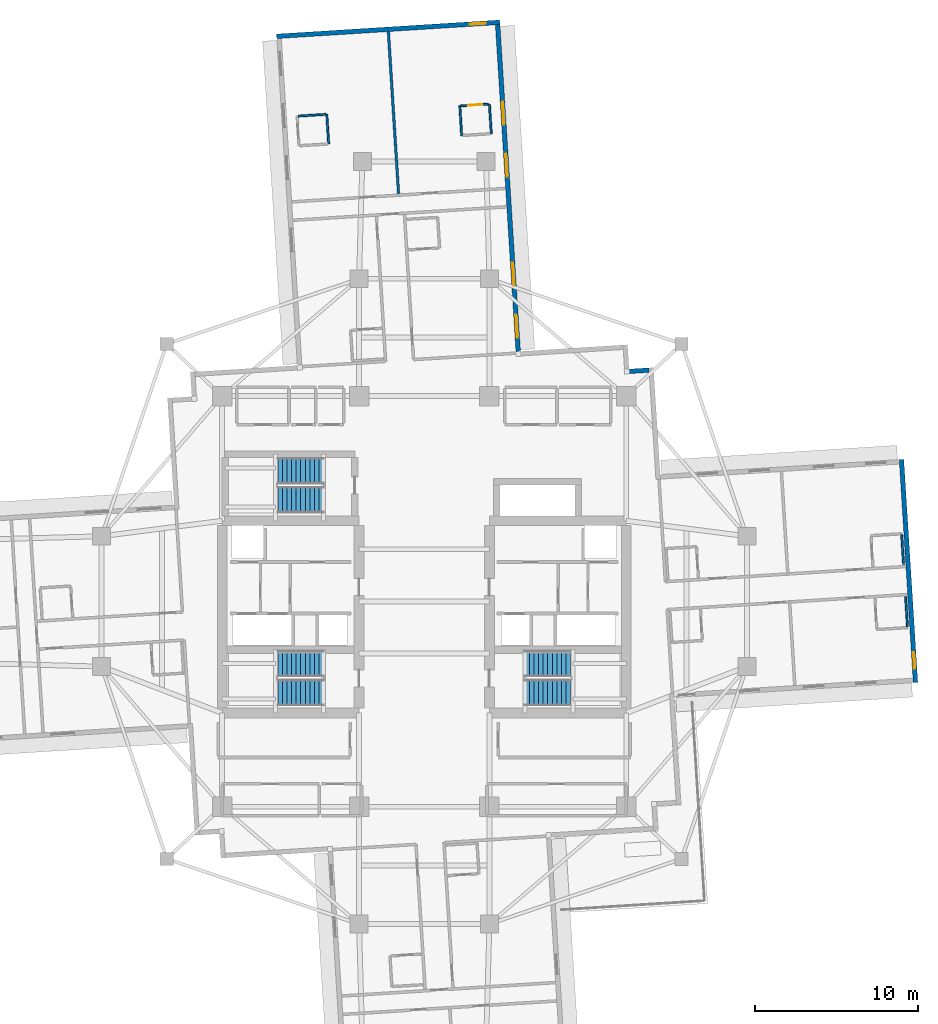
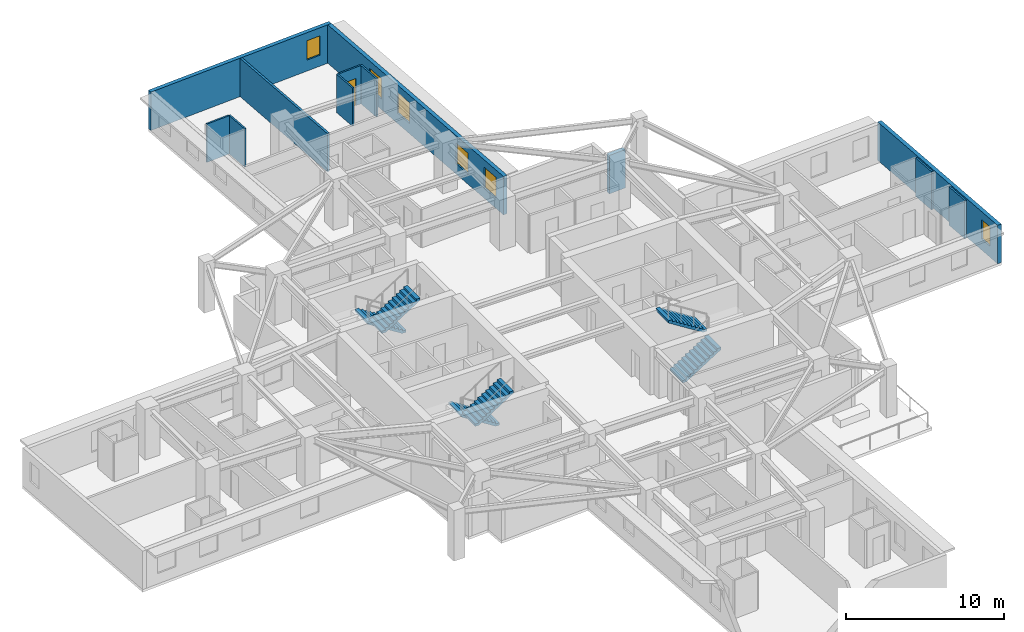
# One storey, part 9 of 14: 12 walls, 6 stair flights, 6 windows, 1 door, 7 openings, 3 elements without a shape of their own.
"""IFC4 building model written with IfcOpenShell, lengths in metres."""

from ifc_helpers import new_model, si_unit, direction, frame, frame_2d, origin, place, context, subcontext, project, spatial, polyline, rectangle, outline, extrude, material, layer, layer_set, type_object, element, fill, aggregate, save


model = new_model("IFC4")

# Units and contexts
model_context = context("Model", 3, precision=1e-05, world=origin(), true_north=direction((0.0, 1.0)))
body_context = subcontext(model_context, "Body", "Model", "MODEL_VIEW")
ifc_project = project(units=[si_unit("LENGTHUNIT", "METRE"), si_unit("AREAUNIT", "SQUARE_METRE"), si_unit("VOLUMEUNIT", "CUBIC_METRE"), si_unit("PLANEANGLEUNIT", "RADIAN"), si_unit("MASSUNIT", "GRAM", prefix="KILO")], contexts=[model_context])

# Site, building, storey
site_placement = place(None, origin())
site = spatial("IfcSite", under=ifc_project, at=site_placement, CompositionType="ELEMENT")
building_placement = place(site_placement, origin())
building = spatial("IfcBuilding", under=site, at=building_placement, Name="Qingluan Cross Belvedere", CompositionType="ELEMENT")
storey_placement = place(building_placement, frame((0.0, 0.0, 120.300048828125)))
storey = spatial("IfcBuildingStorey", under=building, at=storey_placement, Name="L30", CompositionType="ELEMENT", Elevation=120.300048828125)

# Walls
ifc_material_1 = material(Name="Gypsum plasterboard on steel stud acoustic partition", Category="steel")
ifc_layer_1 = layer(ifc_material_1, 0.159912109375, Name="CorridorPartition_160")
ifc_layer_set_1 = layer_set([ifc_layer_1], Name="Gypsum plasterboard on steel stud acoustic partition")
wall_type_1 = type_object("IfcWallType", Name="CorridorPartition_160", PredefinedType="PARTITIONING", material=ifc_layer_set_1)
wall_1_placement = place(storey_placement, frame((-1.57421875, 25.0205078125, 0.0), z_axis=(0.0, 0.0, 1.0), x_axis=(-0.06278717751, 0.998026938685, 0.0)))
element("IfcWall", 1, at=wall_1_placement, inside=storey, type_object=wall_type_1, Name="Partition L30:Ncap:mid", PredefinedType="PARTITIONING", context=body_context, shape_type="SweptSolid", body=[
    extrude(rectangle(XDim=9.962158203125, YDim=0.159912109375, at=frame_2d((4.98095703125, 0.0))), origin(), (0.0, 0.0, 1.0), 2.9599609375),
])
ifc_material_2 = material(Name="Moisture-resistant gypsum board lining")
ifc_layer_2 = layer(ifc_material_2, 0.1201171875, Name="EnsuiteWetPartition_120")
ifc_layer_set_2 = layer_set([ifc_layer_2], Name="Moisture-resistant gypsum board lining")
wall_type_2 = type_object("IfcWallType", Name="EnsuiteWetPartition_120", PredefinedType="PARTITIONING", material=ifc_layer_set_2)
for number, where, z_axis, x_axis, name in (
    (2, (29.415283203125, 2.271484375, 0.0), (0.0, 0.0, 1.0), (-0.062779145668, 0.998027443946, 0.0), "Partition L30:E:bw0_1"),
    (3, (29.6552734375, -1.541015625, 0.0), (0.0, 0.0, 1.0), (-0.062779145668, 0.998027443946, 0.0), "Partition L30:E:bw1_1"),
    (4, (-5.864501953125, 28.0771484375, 0.0), (0.0, 0.0, 1.0), (-0.062779145668, 0.998027443946, 0.0), "Partition L30:Ncap:b1b"),
):
    element("IfcWall", number, at=place(storey_placement, frame(where, z_axis=z_axis, x_axis=x_axis)), inside=storey, type_object=wall_type_2, Name=name, PredefinedType="PARTITIONING", context=body_context, shape_type="SweptSolid", body=[
        extrude(rectangle(XDim=1.820068359375, YDim=0.1201171875, at=frame_2d((0.91015625, 0.0))), origin(), (0.0, 0.0, 1.0), 2.9599609375),
    ])
wall_2_placement = place(storey_placement, frame((-7.7353515625, 29.783203125, 0.0), z_axis=(0.0, 0.0, 1.0), x_axis=(0.998028474305, 0.062762763458, 0.0)))
element("IfcWall", 5, at=wall_2_placement, inside=storey, type_object=wall_type_2, Name="Partition L30:Ncap:b1n", PredefinedType="PARTITIONING", context=body_context, shape_type="SweptSolid", body=[
    extrude(rectangle(XDim=1.699951171875, YDim=0.1201171875, at=frame_2d((0.85009765625, 0.0))), origin(), (0.0, 0.0, 1.0), 2.9599609375),
])
for number, where, z_axis, x_axis, name in (
    (6, (2.29931640625, 28.5908203125, 0.0), (0.0, 0.0, 1.0), (-0.062779145668, 0.998027443946, 0.0), "Partition L30:Ncap:b2s"),
    (7, (4.11572265625, 28.705078125, 0.0), (0.0, 0.0, 1.0), (-0.062779145668, 0.998027443946, 0.0), "Partition L30:Ncap:b2b"),
):
    element("IfcWall", number, at=place(storey_placement, frame(where, z_axis=z_axis, x_axis=x_axis)), inside=storey, type_object=wall_type_2, Name=name, PredefinedType="PARTITIONING", context=body_context, shape_type="SweptSolid", body=[
        extrude(rectangle(XDim=1.820068359375, YDim=0.1201171875, at=frame_2d((0.91015625, 0.0))), origin(), (0.0, 0.0, 1.0), 2.9599609375),
    ])

# Wall, opening, door
wall_3_placement = place(storey_placement, frame((2.244873046875, 30.410888671875, 0.0), z_axis=(0.0, 0.0, 1.0), x_axis=(0.998029039933, 0.06275376841, 0.0)))
wall_3 = element("IfcWall", 8, at=wall_3_placement, inside=storey, type_object=wall_type_2, Name="Partition L30:Ncap:b2n", PredefinedType="PARTITIONING", context=body_context, shape_type="SweptSolid", body=[
    extrude(rectangle(XDim=1.7001953125, YDim=0.1201171875, at=frame_2d((0.85009765625, 0.0))), origin(), (0.0, 0.0, 1.0), 2.9599609375),
])
opening_1_placement = place(wall_3_placement, frame((0.449951171875, 0.0, 0.0)))
opening_1 = element("IfcOpeningElement", 9, at=opening_1_placement, cuts=wall_3, Name="Opening BD-09", PredefinedType="OPENING", context=body_context, shape_type="SweptSolid", body=[
    extrude(rectangle(XDim=0.8798828125, YDim=2.10009765625, at=frame_2d((0.43994140625, 1.050048828125))), frame((0.0, 0.070068359375, 0.0), z_axis=(0.0, -1.0, 0.0), x_axis=(1.0, 0.0, 0.0)), (0.0, 0.0, 1.0), 0.14013671875),
])
ifc_material_3 = material(Name="Moisture-sealed timber en-suite door", Category="wood")
door_type = type_object("IfcDoorType", Name="BathroomDoor_880", OperationType="NOTDEFINED", PredefinedType="DOOR", material=ifc_material_3)
door_placement = place(opening_1_placement, origin())
door = element("IfcDoor", 10, at=door_placement, inside=storey, type_object=door_type, Name="En-suite bathroom door L30N2", OperationType="SINGLE_SWING_RIGHT", OverallHeight=2.10009765625, OverallWidth=0.8798828125, PredefinedType="DOOR", context=body_context, shape_type="SweptSolid", body=[
    extrude(rectangle(XDim=0.8798828125, YDim=2.10009765625, at=frame_2d((0.43994140625, 1.050048828125))), frame((0.0, 0.02490234375, 0.0), z_axis=(0.0, -1.0, 0.0), x_axis=(1.0, 0.0, 0.0)), (0.0, 0.0, 1.0), 0.050048828125),
])
fill(opening_1, door)

# Wall, opening, window
ifc_material_4 = material(Name="Precast concrete C45", Category="concrete")
ifc_layer_3 = layer(ifc_material_4, 0.280029296875, Name="PrecastFacadeWall_280")
ifc_layer_set_3 = layer_set([ifc_layer_3], Name="Precast concrete C45")
wall_type_3 = type_object("IfcWallType", Name="PrecastFacadeWall_280", PredefinedType="STANDARD", material=ifc_layer_set_3)
wall_4_placement = place(storey_placement, frame((30.152099609375, -4.9765625, 0.0), z_axis=(0.0, 0.0, 1.0), x_axis=(-0.062797041623, 0.998026318072, 0.0)))
wall_4 = element("IfcWall", 11, at=wall_4_placement, inside=storey, type_object=wall_type_3, Name="Arm tip precast facade wall L30-E", PredefinedType="STANDARD", context=body_context, shape_type="SweptSolid", body=[
    extrude(rectangle(XDim=13.719970703125, YDim=0.280029296875, at=frame_2d((6.85986328125, 0.0))), origin(), (0.0, 0.0, 1.0), 2.969970703125),
])
opening_2_placement = place(wall_4_placement, frame((0.85009765625, 0.0, 0.85009765625)))
opening_2 = element("IfcOpeningElement", 12, at=opening_2_placement, cuts=wall_4, Name="Opening W-03", PredefinedType="OPENING", context=body_context, shape_type="SweptSolid", body=[
    extrude(rectangle(XDim=1.0, YDim=1.5, at=frame_2d((0.5, 0.75))), frame((0.0, 0.14990234375, 0.0), z_axis=(0.0, -1.0, 0.0), x_axis=(1.0, 0.0, 0.0)), (0.0, 0.0, 1.0), 0.300048828125),
])
ifc_material_5 = material(Name="Thermally broken triple Low-E glass in aluminium frame", Category="aluminium")
window_type_1 = type_object("IfcWindowType", Name="TriApexWin_1000x1500", PartitioningType="SINGLE_PANEL", PredefinedType="WINDOW", material=ifc_material_5)
window_1_placement = place(opening_2_placement, origin())
window_1 = element("IfcWindow", 13, at=window_1_placement, inside=storey, type_object=window_type_1, Name="Arm tip triangular window L30-E", OverallHeight=1.5, OverallWidth=1.0, PartitioningType="SINGLE_PANEL", PredefinedType="WINDOW", context=body_context, shape_type="SweptSolid", body=[
    extrude(rectangle(XDim=1.0, YDim=1.5, at=frame_2d((0.5, 0.75))), frame((0.0, 0.030029296875, 0.0), z_axis=(0.0, -1.0, 0.0), x_axis=(1.0, 0.0, 0.0)), (0.0, 0.0, 1.0), 0.06005859375),
])
fill(opening_2, window_1)

# Wall, openings, windows
wall_5_placement = place(storey_placement, frame((5.7685546875, 15.33251953125, 0.0), z_axis=(0.0, 0.0, 1.0), x_axis=(-0.062784355807, 0.998027116198, 0.0)))
wall_5 = element("IfcWall", 14, at=wall_5_placement, inside=storey, type_object=wall_type_3, Name="Facade wall L30-NA", PredefinedType="STANDARD", context=body_context, shape_type="SweptSolid", body=[
    extrude(rectangle(XDim=20.099853515625, YDim=0.280029296875, at=frame_2d((10.0498046875, 0.0))), origin(), (0.0, 0.0, 1.0), 2.969970703125),
])
opening_3_placement = place(wall_5_placement, frame((0.85009765625, 0.0, 0.800048828125)))
opening_3 = element("IfcOpeningElement", 15, at=opening_3_placement, cuts=wall_5, Name="Opening W-01", PredefinedType="OPENING", context=body_context, shape_type="SweptSolid", body=[
    extrude(rectangle(XDim=1.39990234375, YDim=1.60009765625, at=frame_2d((0.699951171875, 0.800048828125))), frame((0.0, 0.14990234375, 0.0), z_axis=(0.0, -1.0, 0.0), x_axis=(1.0, 0.0, 0.0)), (0.0, 0.0, 1.0), 0.300048828125),
])
opening_4_placement = place(wall_5_placement, frame((4.050048828125, 0.0, 0.800048828125)))
opening_4 = element("IfcOpeningElement", 16, at=opening_4_placement, cuts=wall_5, Name="Opening W-01", PredefinedType="OPENING", context=body_context, shape_type="SweptSolid", body=[
    extrude(rectangle(XDim=1.39990234375, YDim=1.60009765625, at=frame_2d((0.699951171875, 0.800048828125))), frame((0.0, 0.14990234375, 0.0), z_axis=(0.0, -1.0, 0.0), x_axis=(1.0, 0.0, 0.0)), (0.0, 0.0, 1.0), 0.300048828125),
])
opening_5_placement = place(wall_5_placement, frame((10.75, 0.0, 0.800048828125)))
opening_5 = element("IfcOpeningElement", 17, at=opening_5_placement, cuts=wall_5, Name="Opening W-01", PredefinedType="OPENING", context=body_context, shape_type="SweptSolid", body=[
    extrude(rectangle(XDim=1.39990234375, YDim=1.60009765625, at=frame_2d((0.699951171875, 0.800048828125))), frame((0.0, 0.14990234375, 0.0), z_axis=(0.0, -1.0, 0.0), x_axis=(1.0, 0.0, 0.0)), (0.0, 0.0, 1.0), 0.300048828125),
])
opening_6_placement = place(wall_5_placement, frame((13.949951171875, 0.0, 0.800048828125)))
opening_6 = element("IfcOpeningElement", 18, at=opening_6_placement, cuts=wall_5, Name="Opening W-01", PredefinedType="OPENING", context=body_context, shape_type="SweptSolid", body=[
    extrude(rectangle(XDim=1.39990234375, YDim=1.60009765625, at=frame_2d((0.699951171875, 0.800048828125))), frame((0.0, 0.14990234375, 0.0), z_axis=(0.0, -1.0, 0.0), x_axis=(1.0, 0.0, 0.0)), (0.0, 0.0, 1.0), 0.300048828125),
])
ifc_material_6 = material(Name="Thermally broken triple Low-E glass in aluminium frame", Category="aluminium")
window_type_2 = type_object("IfcWindowType", Name="TriRibbonWin_1400x1600", PartitioningType="SINGLE_PANEL", PredefinedType="WINDOW", material=ifc_material_6)
window_2_placement = place(opening_3_placement, origin())
window_2 = element("IfcWindow", 19, at=window_2_placement, inside=storey, type_object=window_type_2, Name="Ribbon window L30-NA-1", OverallHeight=1.60009765625, OverallWidth=1.39990234375, PartitioningType="SINGLE_PANEL", PredefinedType="WINDOW", context=body_context, shape_type="SweptSolid", body=[
    extrude(rectangle(XDim=1.39990234375, YDim=1.60009765625, at=frame_2d((0.699951171875, 0.800048828125))), frame((0.0, 0.030029296875, 0.0), z_axis=(0.0, -1.0, 0.0), x_axis=(1.0, 0.0, 0.0)), (0.0, 0.0, 1.0), 0.06005859375),
])
fill(opening_3, window_2)
window_3_placement = place(opening_4_placement, origin())
window_3 = element("IfcWindow", 20, at=window_3_placement, inside=storey, type_object=window_type_2, Name="Ribbon window L30-NA-2", OverallHeight=1.60009765625, OverallWidth=1.39990234375, PartitioningType="SINGLE_PANEL", PredefinedType="WINDOW", context=body_context, shape_type="SweptSolid", body=[
    extrude(rectangle(XDim=1.39990234375, YDim=1.60009765625, at=frame_2d((0.699951171875, 0.800048828125))), frame((0.0, 0.030029296875, 0.0), z_axis=(0.0, -1.0, 0.0), x_axis=(1.0, 0.0, 0.0)), (0.0, 0.0, 1.0), 0.06005859375),
])
fill(opening_4, window_3)
window_4_placement = place(opening_5_placement, origin())
window_4 = element("IfcWindow", 21, at=window_4_placement, inside=storey, type_object=window_type_2, Name="Ribbon window L30-NA-3", OverallHeight=1.60009765625, OverallWidth=1.39990234375, PartitioningType="SINGLE_PANEL", PredefinedType="WINDOW", context=body_context, shape_type="SweptSolid", body=[
    extrude(rectangle(XDim=1.39990234375, YDim=1.60009765625, at=frame_2d((0.699951171875, 0.800048828125))), frame((0.0, 0.030029296875, 0.0), z_axis=(0.0, -1.0, 0.0), x_axis=(1.0, 0.0, 0.0)), (0.0, 0.0, 1.0), 0.06005859375),
])
fill(opening_5, window_4)
window_5_placement = place(opening_6_placement, origin())
window_5 = element("IfcWindow", 22, at=window_5_placement, inside=storey, type_object=window_type_2, Name="Ribbon window L30-NA-4", OverallHeight=1.60009765625, OverallWidth=1.39990234375, PartitioningType="SINGLE_PANEL", PredefinedType="WINDOW", context=body_context, shape_type="SweptSolid", body=[
    extrude(rectangle(XDim=1.39990234375, YDim=1.60009765625, at=frame_2d((0.699951171875, 0.800048828125))), frame((0.0, 0.030029296875, 0.0), z_axis=(0.0, -1.0, 0.0), x_axis=(1.0, 0.0, 0.0)), (0.0, 0.0, 1.0), 0.06005859375),
])
fill(opening_6, window_5)

# Wall, opening, window
wall_6_placement = place(storey_placement, frame((4.637451171875, 35.541259765625, 0.0), z_axis=(0.0, 0.0, 1.0), x_axis=(-0.998026318072, -0.062797041623, 0.0)))
wall_6 = element("IfcWall", 23, at=wall_6_placement, inside=storey, type_object=wall_type_3, Name="Arm tip precast facade wall L30-N", PredefinedType="STANDARD", context=body_context, shape_type="SweptSolid", body=[
    extrude(rectangle(XDim=13.719970703125, YDim=0.280029296875, at=frame_2d((6.85986328125, 0.0))), origin(), (0.0, 0.0, 1.0), 2.969970703125),
])
opening_7_placement = place(wall_6_placement, frame((0.85009765625, 0.0, 0.85009765625)))
opening_7 = element("IfcOpeningElement", 24, at=opening_7_placement, cuts=wall_6, Name="Opening W-03", PredefinedType="OPENING", context=body_context, shape_type="SweptSolid", body=[
    extrude(rectangle(XDim=1.0, YDim=1.5, at=frame_2d((0.5, 0.75))), frame((0.0, 0.14990234375, 0.0), z_axis=(0.0, -1.0, 0.0), x_axis=(1.0, 0.0, 0.0)), (0.0, 0.0, 1.0), 0.300048828125),
])
window_6_placement = place(opening_7_placement, origin())
window_6 = element("IfcWindow", 25, at=window_6_placement, inside=storey, type_object=window_type_1, Name="Arm tip triangular window L30-N", OverallHeight=1.5, OverallWidth=1.0, PartitioningType="SINGLE_PANEL", PredefinedType="WINDOW", context=body_context, shape_type="SweptSolid", body=[
    extrude(rectangle(XDim=1.0, YDim=1.5, at=frame_2d((0.5, 0.75))), frame((0.0, 0.030029296875, 0.0), z_axis=(0.0, -1.0, 0.0), x_axis=(1.0, 0.0, 0.0)), (0.0, 0.0, 1.0), 0.06005859375),
])
fill(opening_7, window_6)

# Wall
wall_7_placement = place(storey_placement, frame((13.7958984375, 14.1943359375, 0.0), z_axis=(0.0, 0.0, 1.0), x_axis=(-0.998023660242, -0.06283926796, 0.0)))
element("IfcWall", 26, at=wall_7_placement, inside=storey, type_object=wall_type_3, Name="Corner wall L30-NE2", PredefinedType="STANDARD", context=body_context, shape_type="SweptSolid", body=[
    extrude(rectangle(XDim=1.219970703125, YDim=0.280029296875, at=frame_2d((0.60986328125, 0.0))), origin(), (0.0, 0.0, 1.0), 2.969970703125),
])

# Stair, stair flights
ifc_material_7 = material(Name="Concrete C40", Category="concrete")
stair_type = type_object("IfcStairType", Name="CoreDoglegStair_1620", PredefinedType="HALF_TURN_STAIR", material=ifc_material_7)
stair_1_placement = place(storey_placement, origin())
stair_1 = element("IfcStair", 27, at=stair_1_placement, inside=storey, type_object=stair_type, Name="L30 ST1", PredefinedType="HALF_TURN_STAIR")
ifc_material_8 = material(Name="Concrete C40", Category="concrete")
ifc_layer_4 = layer(ifc_material_8, 0.179931640625, Name="StairFlight_RC180")
ifc_layer_set_4 = layer_set([ifc_layer_4], Name="Concrete C40")
stair_flight_type = type_object("IfcStairFlightType", Name="StairFlight_RC180", PredefinedType="STRAIGHT", material=ifc_layer_set_4)
stair_flight_1_placement = place(storey_placement, frame((-6.179931640625, -3.81005859375, 0.0), z_axis=(0.0, 0.0, 1.0), x_axis=(-1.0, 0.0, 0.0)))
stair_flight_1 = element("IfcStairFlight", 28, at=stair_flight_1_placement, type_object=stair_flight_type, Name="ST1 flight 1", NumberOfRisers=11, NumberOfTreads=10, PredefinedType="STRAIGHT", RiserHeight=0.177272727, TreadLength=0.28, context=body_context, shape_type="SweptSolid", body=[
    extrude(outline(polyline([(0.0, 0.0), (0.0, 0.17724609375), (0.280029296875, 0.17724609375), (0.280029296875, 0.3544921875), (0.56005859375, 0.3544921875), (0.56005859375, 0.53173828125), (0.840087890625, 0.53173828125), (0.840087890625, 0.708984375), (1.1201171875, 0.708984375), (1.1201171875, 0.886474609375), (1.39990234375, 0.886474609375), (1.39990234375, 1.063720703125), (1.679931640625, 1.063720703125), (1.679931640625, 1.240966796875), (1.9599609375, 1.240966796875), (1.9599609375, 1.418212890625), (2.239990234375, 1.418212890625), (2.239990234375, 1.595458984375), (2.52001953125, 1.595458984375), (2.52001953125, 1.772705078125), (2.800048828125, 1.772705078125), (2.800048828125, 1.949951171875), (2.800048828125, 1.59521484375), (0.2802734375, 0.0), (0.0, 0.0)])), frame((0.0, 0.81005859375, 0.0), z_axis=(0.0, -1.0, 0.0), x_axis=(1.0, 0.0, 0.0)), (0.0, 0.0, 1.0), 1.6201171875),
])
stair_flight_2_placement = place(storey_placement, frame((-8.97998046875, -5.590087890625, 1.949951171875), z_axis=(0.0, 0.0, 1.0), x_axis=(1.0, 0.0, 0.0)))
stair_flight_2 = element("IfcStairFlight", 29, at=stair_flight_2_placement, type_object=stair_flight_type, Name="ST1 flight 2", NumberOfRisers=11, NumberOfTreads=10, PredefinedType="STRAIGHT", RiserHeight=0.177272727, TreadLength=0.28, context=body_context, shape_type="SweptSolid", body=[
    extrude(outline(polyline([(0.0, 0.0), (0.0, 0.17724609375), (0.280029296875, 0.17724609375), (0.280029296875, 0.3544921875), (0.56005859375, 0.3544921875), (0.56005859375, 0.53173828125), (0.840087890625, 0.53173828125), (0.840087890625, 0.708984375), (1.1201171875, 0.708984375), (1.1201171875, 0.886474609375), (1.39990234375, 0.886474609375), (1.39990234375, 1.063720703125), (1.679931640625, 1.063720703125), (1.679931640625, 1.240966796875), (1.9599609375, 1.240966796875), (1.9599609375, 1.418212890625), (2.239990234375, 1.418212890625), (2.239990234375, 1.595458984375), (2.52001953125, 1.595458984375), (2.52001953125, 1.772705078125), (2.800048828125, 1.772705078125), (2.800048828125, 1.949951171875), (2.800048828125, 1.59521484375), (0.2802734375, 0.0), (0.0, 0.0)])), frame((0.0, 0.81005859375, 0.0), z_axis=(0.0, -1.0, 0.0), x_axis=(1.0, 0.0, 0.0)), (0.0, 0.0, 1.0), 1.6201171875),
])
aggregate(stair_1, [stair_flight_1, stair_flight_2])

stair_2_placement = place(storey_placement, origin())
stair_2 = element("IfcStair", 30, at=stair_2_placement, inside=storey, type_object=stair_type, Name="L30 ST2", PredefinedType="HALF_TURN_STAIR")
stair_flight_3_placement = place(storey_placement, frame((6.179931640625, -5.590087890625, 0.0), z_axis=(0.0, 0.0, 1.0), x_axis=(1.0, 0.0, 0.0)))
stair_flight_3 = element("IfcStairFlight", 31, at=stair_flight_3_placement, type_object=stair_flight_type, Name="ST2 flight 1", NumberOfRisers=11, NumberOfTreads=10, PredefinedType="STRAIGHT", RiserHeight=0.177272727, TreadLength=0.28, context=body_context, shape_type="SweptSolid", body=[
    extrude(outline(polyline([(0.0, 0.0), (0.0, 0.17724609375), (0.280029296875, 0.17724609375), (0.280029296875, 0.3544921875), (0.56005859375, 0.3544921875), (0.56005859375, 0.53173828125), (0.840087890625, 0.53173828125), (0.840087890625, 0.708984375), (1.1201171875, 0.708984375), (1.1201171875, 0.886474609375), (1.39990234375, 0.886474609375), (1.39990234375, 1.063720703125), (1.679931640625, 1.063720703125), (1.679931640625, 1.240966796875), (1.9599609375, 1.240966796875), (1.9599609375, 1.418212890625), (2.239990234375, 1.418212890625), (2.239990234375, 1.595458984375), (2.52001953125, 1.595458984375), (2.52001953125, 1.772705078125), (2.800048828125, 1.772705078125), (2.800048828125, 1.949951171875), (2.800048828125, 1.59521484375), (0.2802734375, 0.0), (0.0, 0.0)])), frame((0.0, 0.81005859375, 0.0), z_axis=(0.0, -1.0, 0.0), x_axis=(1.0, 0.0, 0.0)), (0.0, 0.0, 1.0), 1.6201171875),
])
stair_flight_4_placement = place(storey_placement, frame((8.97998046875, -3.81005859375, 1.949951171875), z_axis=(0.0, 0.0, 1.0), x_axis=(-1.0, 0.0, 0.0)))
stair_flight_4 = element("IfcStairFlight", 32, at=stair_flight_4_placement, type_object=stair_flight_type, Name="ST2 flight 2", NumberOfRisers=11, NumberOfTreads=10, PredefinedType="STRAIGHT", RiserHeight=0.177272727, TreadLength=0.28, context=body_context, shape_type="SweptSolid", body=[
    extrude(outline(polyline([(0.0, 0.0), (0.0, 0.17724609375), (0.280029296875, 0.17724609375), (0.280029296875, 0.3544921875), (0.56005859375, 0.3544921875), (0.56005859375, 0.53173828125), (0.840087890625, 0.53173828125), (0.840087890625, 0.708984375), (1.1201171875, 0.708984375), (1.1201171875, 0.886474609375), (1.39990234375, 0.886474609375), (1.39990234375, 1.063720703125), (1.679931640625, 1.063720703125), (1.679931640625, 1.240966796875), (1.9599609375, 1.240966796875), (1.9599609375, 1.418212890625), (2.239990234375, 1.418212890625), (2.239990234375, 1.595458984375), (2.52001953125, 1.595458984375), (2.52001953125, 1.772705078125), (2.800048828125, 1.772705078125), (2.800048828125, 1.949951171875), (2.800048828125, 1.59521484375), (0.2802734375, 0.0), (0.0, 0.0)])), frame((0.0, 0.81005859375, 0.0), z_axis=(0.0, -1.0, 0.0), x_axis=(1.0, 0.0, 0.0)), (0.0, 0.0, 1.0), 1.6201171875),
])
aggregate(stair_2, [stair_flight_3, stair_flight_4])

stair_3_placement = place(storey_placement, origin())
stair_3 = element("IfcStair", 33, at=stair_3_placement, inside=storey, type_object=stair_type, Name="L30 ST3", PredefinedType="HALF_TURN_STAIR")
stair_flight_5_placement = place(storey_placement, frame((-6.179931640625, 8.010009765625, 0.0), z_axis=(0.0, 0.0, 1.0), x_axis=(-1.0, 0.0, 0.0)))
stair_flight_5 = element("IfcStairFlight", 34, at=stair_flight_5_placement, type_object=stair_flight_type, Name="ST3 flight 1", NumberOfRisers=11, NumberOfTreads=10, PredefinedType="STRAIGHT", RiserHeight=0.177272727, TreadLength=0.28, context=body_context, shape_type="SweptSolid", body=[
    extrude(outline(polyline([(0.0, 0.0), (0.0, 0.17724609375), (0.280029296875, 0.17724609375), (0.280029296875, 0.3544921875), (0.56005859375, 0.3544921875), (0.56005859375, 0.53173828125), (0.840087890625, 0.53173828125), (0.840087890625, 0.708984375), (1.1201171875, 0.708984375), (1.1201171875, 0.886474609375), (1.39990234375, 0.886474609375), (1.39990234375, 1.063720703125), (1.679931640625, 1.063720703125), (1.679931640625, 1.240966796875), (1.9599609375, 1.240966796875), (1.9599609375, 1.418212890625), (2.239990234375, 1.418212890625), (2.239990234375, 1.595458984375), (2.52001953125, 1.595458984375), (2.52001953125, 1.772705078125), (2.800048828125, 1.772705078125), (2.800048828125, 1.949951171875), (2.800048828125, 1.59521484375), (0.2802734375, 0.0), (0.0, 0.0)])), frame((0.0, 0.81005859375, 0.0), z_axis=(0.0, -1.0, 0.0), x_axis=(1.0, 0.0, 0.0)), (0.0, 0.0, 1.0), 1.6201171875),
])
stair_flight_6_placement = place(storey_placement, frame((-8.97998046875, 6.22998046875, 1.949951171875), z_axis=(0.0, 0.0, 1.0), x_axis=(1.0, 0.0, 0.0)))
stair_flight_6 = element("IfcStairFlight", 35, at=stair_flight_6_placement, type_object=stair_flight_type, Name="ST3 flight 2", NumberOfRisers=11, NumberOfTreads=10, PredefinedType="STRAIGHT", RiserHeight=0.177272727, TreadLength=0.28, context=body_context, shape_type="SweptSolid", body=[
    extrude(outline(polyline([(0.0, 0.0), (0.0, 0.17724609375), (0.280029296875, 0.17724609375), (0.280029296875, 0.3544921875), (0.56005859375, 0.3544921875), (0.56005859375, 0.53173828125), (0.840087890625, 0.53173828125), (0.840087890625, 0.708984375), (1.1201171875, 0.708984375), (1.1201171875, 0.886474609375), (1.39990234375, 0.886474609375), (1.39990234375, 1.063720703125), (1.679931640625, 1.063720703125), (1.679931640625, 1.240966796875), (1.9599609375, 1.240966796875), (1.9599609375, 1.418212890625), (2.239990234375, 1.418212890625), (2.239990234375, 1.595458984375), (2.52001953125, 1.595458984375), (2.52001953125, 1.772705078125), (2.800048828125, 1.772705078125), (2.800048828125, 1.949951171875), (2.800048828125, 1.59521484375), (0.2802734375, 0.0), (0.0, 0.0)])), frame((0.0, 0.81005859375, 0.0), z_axis=(0.0, -1.0, 0.0), x_axis=(1.0, 0.0, 0.0)), (0.0, 0.0, 1.0), 1.6201171875),
])
aggregate(stair_3, [stair_flight_5, stair_flight_6])

save(model, "model.ifc")
